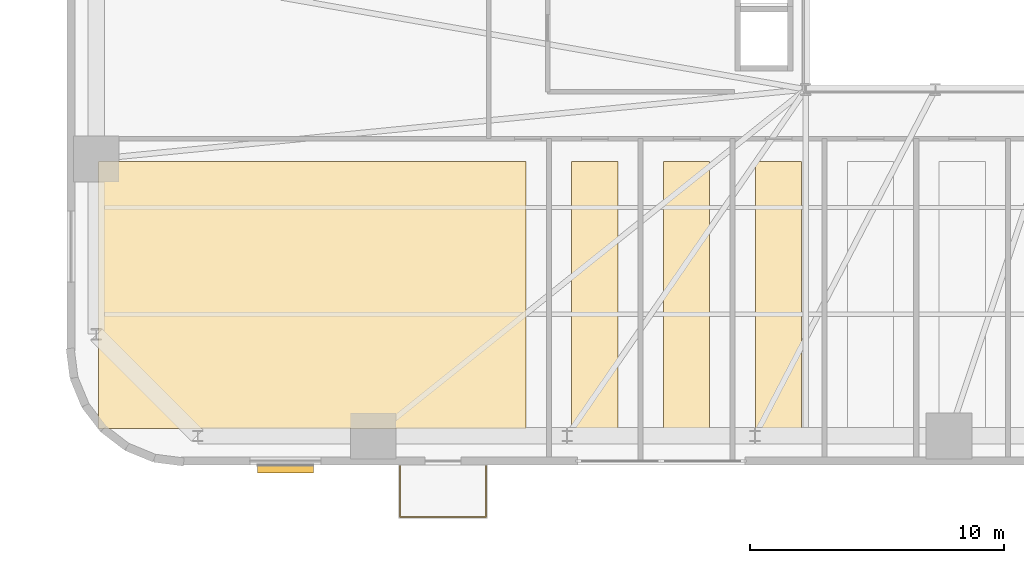
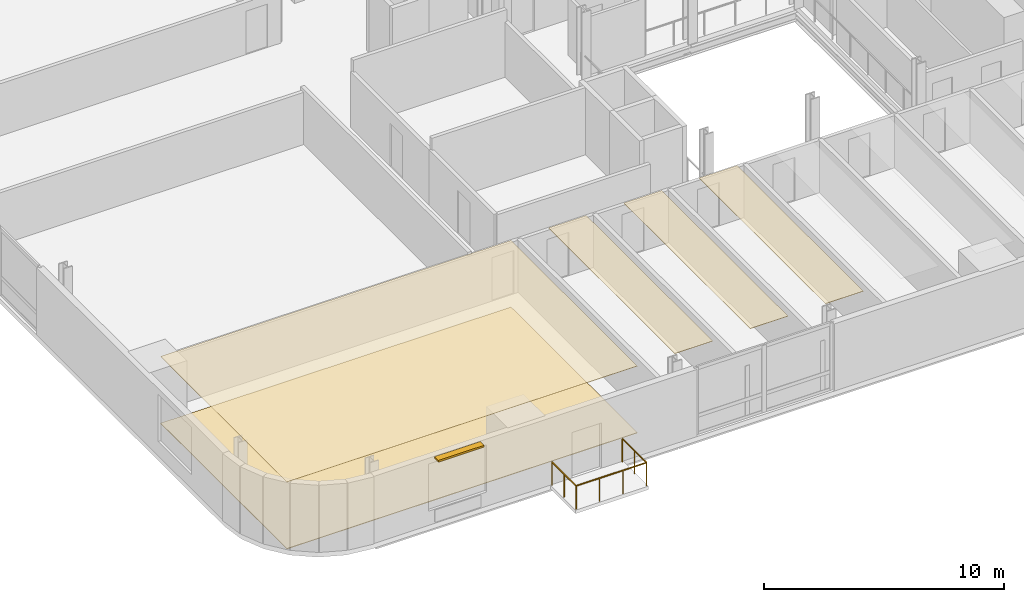
# One storey, part 10 of 13: 5 coverings, 1 railing, 1 shading device.
"""IFC4 building model written with IfcOpenShell, lengths in metres."""

from ifc_helpers import new_model, si_unit, direction, frame, origin, origin_2d, place, context, subcontext, project, spatial, polyline, rectangle, outline, extrude, source, transform, mapped, material, layer, layer_set, type_object, element, save


model = new_model("IFC4")

# Units and contexts
model_context = context("Model", 3, precision=1e-05, world=origin(), true_north=direction((0.0, 1.0)))
body_context = subcontext(model_context, "Body", "Model", "MODEL_VIEW")
ifc_project = project(units=[si_unit("LENGTHUNIT", "METRE"), si_unit("AREAUNIT", "SQUARE_METRE"), si_unit("VOLUMEUNIT", "CUBIC_METRE"), si_unit("PLANEANGLEUNIT", "RADIAN"), si_unit("MASSUNIT", "GRAM", prefix="KILO")], contexts=[model_context])

# Site, building, storey
site_placement = place(None, origin())
site = spatial("IfcSite", under=ifc_project, at=site_placement, CompositionType="ELEMENT")
building_placement = place(site_placement, origin())
building = spatial("IfcBuilding", under=site, at=building_placement, Name="Vardaveli Station Tower", CompositionType="ELEMENT")
storey_placement = place(building_placement, frame((0.0, 0.0, 64.10009765625)))
storey = spatial("IfcBuildingStorey", under=building, at=storey_placement, Name="L16", CompositionType="ELEMENT", Elevation=64.10009765625)

# Coverings
ifc_material_1 = material(Name="Perforated acoustic mineral ceiling")
ifc_layer_1 = layer(ifc_material_1, 0.02001953125, Name="Perforated acoustic mineral ceiling")
ifc_layer_set_1 = layer_set([ifc_layer_1], Name="Perforated acoustic mineral ceiling")
covering_type_1 = type_object("IfcCoveringType", Name="COV-CEIL-AC20", PredefinedType="CEILING", material=ifc_layer_set_1)
covering_1_placement = place(storey_placement, frame((0.0, 0.0, 3.39501953125)))
element("IfcCovering", 1, at=covering_1_placement, inside=storey, type_object=covering_type_1, Name="CEIL-L16-1", PredefinedType="CEILING", context=body_context, shape_type="SweptSolid", body=[
    extrude(outline(polyline([(3.35009765625, 3.25), (20.179931640625, 3.25), (20.179931640625, 13.760009765625), (3.35009765625, 13.760009765625), (3.35009765625, 3.25)])), origin(), (0.0, 0.0, 1.0), 0.019775390625),
])
covering_2_placement = place(storey_placement, frame((0.0, 0.0, 3.39501953125)))
element("IfcCovering", 2, at=covering_2_placement, inside=storey, type_object=covering_type_1, Name="CEIL-L16-2", PredefinedType="CEILING", context=body_context, shape_type="SweptSolid", body=[
    extrude(outline(polyline([(21.97998046875, 3.25), (23.7978515625, 3.25), (23.7978515625, 13.760009765625), (21.97998046875, 13.760009765625), (21.97998046875, 3.25)])), origin(), (0.0, 0.0, 1.0), 0.019775390625),
])
covering_3_placement = place(storey_placement, frame((0.0, 0.0, 3.39501953125)))
element("IfcCovering", 3, at=covering_3_placement, inside=storey, type_object=covering_type_1, Name="CEIL-L16-3", PredefinedType="CEILING", context=body_context, shape_type="SweptSolid", body=[
    extrude(outline(polyline([(25.597900390625, 3.25), (27.415771484375, 3.25), (27.415771484375, 13.760009765625), (25.597900390625, 13.760009765625), (25.597900390625, 3.25)])), origin(), (0.0, 0.0, 1.0), 0.019775390625),
])
covering_4_placement = place(storey_placement, frame((0.0, 0.0, 3.39501953125)))
element("IfcCovering", 4, at=covering_4_placement, inside=storey, type_object=covering_type_1, Name="CEIL-L16-4", PredefinedType="CEILING", context=body_context, shape_type="SweptSolid", body=[
    extrude(outline(polyline([(29.2158203125, 3.25), (31.03369140625, 3.25), (31.03369140625, 13.760009765625), (29.2158203125, 13.760009765625), (29.2158203125, 3.25)])), origin(), (0.0, 0.0, 1.0), 0.019775390625),
])
ifc_material_2 = material(Name="Honed Caucasian basalt and travertine flooring", Category="masonry")
ifc_layer_2 = layer(ifc_material_2, 0.030029296875, Name="Honed Caucasian basalt and travertine flooring")
ifc_layer_set_2 = layer_set([ifc_layer_2], Name="Honed Caucasian basalt and travertine flooring")
covering_type_2 = type_object("IfcCoveringType", Name="COV-FLOOR-ST30", PredefinedType="FLOORING", material=ifc_layer_set_2)
covering_5_placement = place(storey_placement, origin())
element("IfcCovering", 5, at=covering_5_placement, inside=storey, type_object=covering_type_2, Name="FLR-L16-1", PredefinedType="FLOORING", context=body_context, shape_type="SweptSolid", body=[
    extrude(outline(polyline([(3.35009765625, 3.25), (20.179931640625, 3.25), (20.179931640625, 13.760009765625), (3.35009765625, 13.760009765625), (3.35009765625, 3.25)])), origin(), (0.0, 0.0, 1.0), 0.02978515625),
])

# Railing
ifc_material_3 = material(Name="Laminated glass and stainless steel balustrade", Category="steel")
railing_type = type_object("IfcRailingType", Name="RL-BAL-1200", PredefinedType="BALUSTRADE", material=ifc_material_3)
shared_shape_1 = source(origin(), body_context, "Body", "SweptSolid", [
    extrude(rectangle(XDim=0.048095703125, YDim=0.048095703125, at=origin_2d()), frame((0.0, 0.0, 1.17578125), z_axis=(0.0, -1.0, 0.0), x_axis=(1.0, 0.0, 0.0)), (0.0, 0.0, 1.0), 2.0),
    extrude(rectangle(XDim=0.048095703125, YDim=0.048095703125, at=origin_2d()), frame((0.0, -2.0, 1.17578125), z_axis=(1.0, 0.0, 0.0), x_axis=(0.0, 1.0, 0.0)), (0.0, 0.0, 1.0), 3.3798828125),
    extrude(rectangle(XDim=0.048095703125, YDim=0.048095703125, at=origin_2d()), frame((3.3798828125, -2.0, 1.17578125), z_axis=(0.0, 1.0, 0.0), x_axis=(-1.0, 0.0, 0.0)), (0.0, 0.0, 1.0), 2.0),
    extrude(rectangle(XDim=0.0419921875, YDim=0.0419921875, at=origin_2d()), origin(), (0.0, 0.0, 1.0), 1.15185546875),
    extrude(rectangle(XDim=0.0419921875, YDim=0.0419921875, at=origin_2d()), frame((0.0, -1.0, 0.0)), (0.0, 0.0, 1.0), 1.15185546875),
    extrude(rectangle(XDim=0.0419921875, YDim=0.0419921875, at=origin_2d()), frame((0.0, -2.0, 0.0)), (0.0, 0.0, 1.0), 1.15185546875),
    extrude(rectangle(XDim=0.0419921875, YDim=0.0419921875, at=origin_2d()), frame((1.126708984375, -2.0, 0.0)), (0.0, 0.0, 1.0), 1.15185546875),
    extrude(rectangle(XDim=0.0419921875, YDim=0.0419921875, at=origin_2d()), frame((2.253173828125, -2.0, 0.0)), (0.0, 0.0, 1.0), 1.15185546875),
    extrude(rectangle(XDim=0.0419921875, YDim=0.0419921875, at=origin_2d()), frame((3.3798828125, -2.0, 0.0)), (0.0, 0.0, 1.0), 1.15185546875),
    extrude(rectangle(XDim=0.0419921875, YDim=0.0419921875, at=origin_2d()), frame((3.3798828125, -1.0, 0.0)), (0.0, 0.0, 1.0), 1.15185546875),
    extrude(rectangle(XDim=0.0419921875, YDim=0.0419921875, at=origin_2d()), frame((3.3798828125, 0.0, 0.0)), (0.0, 0.0, 1.0), 1.15185546875),
])
railing_placement = place(storey_placement, frame((15.220458984375, 1.760009765625, 0.0)))
element("IfcRailing", 6, at=railing_placement, inside=storey, type_object=railing_type, Name="RL-LOG-L16-01", PredefinedType="BALUSTRADE", context=body_context, shape_type="MappedRepresentation", body=[
    mapped(shared_shape_1, transform((0.0, 0.0, 0.0), scale=1.0)),
])

# Shading device
ifc_material_4 = material(Name="Anodised champagne aluminium sunshade", Category="aluminium")
ifc_layer_3 = layer(ifc_material_4, 0.090087890625, Name="Anodised champagne aluminium sunshade")
ifc_layer_set_3 = layer_set([ifc_layer_3], Name="Anodised champagne aluminium sunshade")
shading_device_type = type_object("IfcShadingDeviceType", Name="SHD-SUNSHADE", PredefinedType="USERDEFINED", material=ifc_layer_set_3)
shared_shape_2 = source(origin(), body_context, "Body", "SweptSolid", [
    extrude(rectangle(XDim=2.199951171875, YDim=0.320068359375, at=origin_2d()), origin(), (0.0, 0.0, 1.0), 0.090087890625),
])
shading_device_placement = place(storey_placement, frame((10.705078125, 1.655029296875, 3.2900390625), z_axis=(0.0, 0.0, 1.0), x_axis=(1.0, 0.0, 0.0)))
element("IfcShadingDevice", 7, at=shading_device_placement, inside=storey, type_object=shading_device_type, Name="SHD-SS-L16-S", ObjectType="SUNSHADE", PredefinedType="USERDEFINED", context=body_context, shape_type="MappedRepresentation", body=[
    mapped(shared_shape_2, transform((0.0, 0.0, 0.0), scale=1.0)),
])

save(model, "model.ifc")
